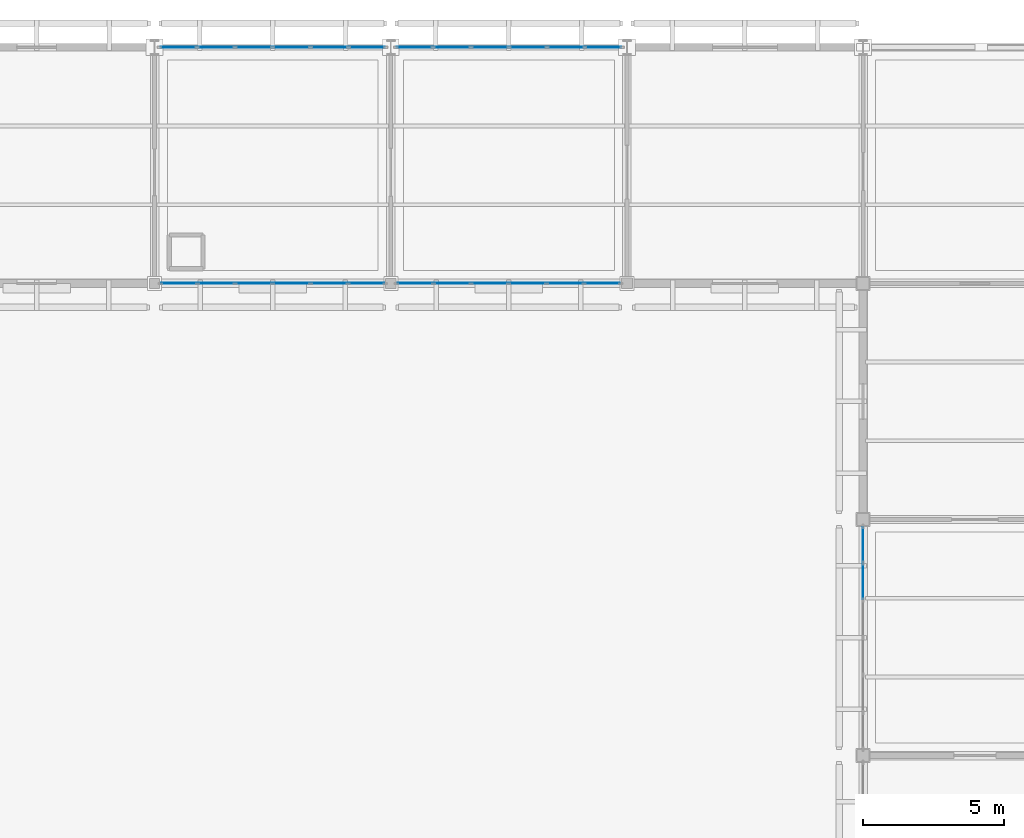
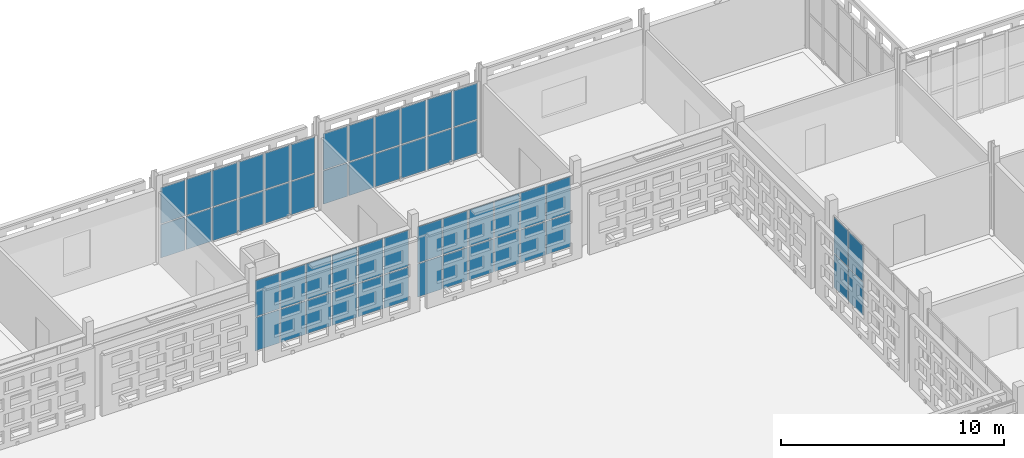
# One storey, part 101 of 203: 52 plates, 5 elements without a shape of their own.
"""IFC4 building model written with IfcOpenShell, lengths in metres."""

from ifc_helpers import new_model, si_unit, direction, frame, origin, origin_2d, place, context, subcontext, project, spatial, rectangle, extrude, material, layer, layer_set, type_object, element, aggregate, save


model = new_model("IFC4")

# Units and contexts
model_context = context("Model", 3, precision=1e-05, world=origin(), true_north=direction((0.0, 1.0)))
body_context = subcontext(model_context, "Body", "Model", "MODEL_VIEW")
ifc_project = project(units=[si_unit("LENGTHUNIT", "METRE"), si_unit("AREAUNIT", "SQUARE_METRE"), si_unit("VOLUMEUNIT", "CUBIC_METRE"), si_unit("PLANEANGLEUNIT", "RADIAN"), si_unit("MASSUNIT", "GRAM", prefix="KILO")], contexts=[model_context])

# Site, building, storey
site_placement = place(None, origin())
site = spatial("IfcSite", under=ifc_project, at=site_placement, CompositionType="ELEMENT")
building_placement = place(site_placement, origin())
building = spatial("IfcBuilding", under=site, at=building_placement, Name="Varnapada Polytechnic", CompositionType="ELEMENT")
storey_placement = place(building_placement, frame((0.0, 0.0, 4.800048828125)))
storey = spatial("IfcBuildingStorey", under=building, at=storey_placement, Name="L01", CompositionType="ELEMENT", Elevation=4.800048828125)

# Curtain wall, plates
ifc_material = material(Name="Double low-E laminated glass", Category="glass")
ifc_layer_1 = layer(ifc_material, 0.159912109375)
ifc_layer_set_1 = layer_set([ifc_layer_1], Name="Double low-E laminated glass")
curtain_wall_type = type_object("IfcCurtainWallType", Name="Curtain Wall CW-02", PredefinedType="NOTDEFINED", material=ifc_layer_set_1)
curtain_wall_1_placement = place(storey_placement, origin())
curtain_wall_1 = element("IfcCurtainWall", 1, at=curtain_wall_1_placement, inside=storey, type_object=curtain_wall_type, Name="L01 unitised curtain wall CW-02 (81)", PredefinedType="NOTDEFINED")
ifc_layer_2 = layer(ifc_material, 0.028076171875)
ifc_layer_set_2 = layer_set([ifc_layer_2], Name="Double low-E laminated glass")
plate_type = type_object("IfcPlateType", Name="Curtain Panel PNL-01", PredefinedType="CURTAIN_PANEL", material=ifc_layer_set_2)
plate_1_placement = place(storey_placement, frame((108.3349609375, 117.60009765625, 0.06005859375), z_axis=(0.0, 0.0, 1.0), x_axis=(-1.0, 0.0, 0.0)))
plate_1 = element("IfcPlate", 2, at=plate_1_placement, type_object=plate_type, Name="CW-02 panel 1.1", PredefinedType="CURTAIN_PANEL", context=body_context, shape_type="SweptSolid", body=[
    extrude(rectangle(XDim=1.25, YDim=0.028076171875, at=origin_2d()), origin(), (0.0, 0.0, 1.0), 1.810791015625),
])
plate_2_placement = place(storey_placement, frame((108.3349609375, 117.60009765625, 1.9306640625), z_axis=(0.0, 0.0, 1.0), x_axis=(-1.0, 0.0, 0.0)))
plate_2 = element("IfcPlate", 3, at=plate_2_placement, type_object=plate_type, Name="CW-02 panel 1.2", PredefinedType="CURTAIN_PANEL", context=body_context, shape_type="SweptSolid", body=[
    extrude(rectangle(XDim=1.25, YDim=0.028076171875, at=origin_2d()), origin(), (0.0, 0.0, 1.0), 1.96923828125),
])
plate_3_placement = place(storey_placement, frame((107.010009765625, 117.60009765625, 0.06005859375), z_axis=(0.0, 0.0, 1.0), x_axis=(-1.0, 0.0, 0.0)))
plate_3 = element("IfcPlate", 4, at=plate_3_placement, type_object=plate_type, Name="CW-02 panel 2.1", PredefinedType="CURTAIN_PANEL", context=body_context, shape_type="SweptSolid", body=[
    extrude(rectangle(XDim=1.280029296875, YDim=0.028076171875, at=origin_2d()), origin(), (0.0, 0.0, 1.0), 1.810791015625),
])
plate_4_placement = place(storey_placement, frame((107.010009765625, 117.60009765625, 1.9306640625), z_axis=(0.0, 0.0, 1.0), x_axis=(-1.0, 0.0, 0.0)))
plate_4 = element("IfcPlate", 5, at=plate_4_placement, type_object=plate_type, Name="CW-02 panel 2.2", PredefinedType="CURTAIN_PANEL", context=body_context, shape_type="SweptSolid", body=[
    extrude(rectangle(XDim=1.280029296875, YDim=0.028076171875, at=origin_2d()), origin(), (0.0, 0.0, 1.0), 1.96923828125),
])
plate_5_placement = place(storey_placement, frame((105.669921875, 117.60009765625, 0.06005859375), z_axis=(0.0, 0.0, 1.0), x_axis=(-1.0, 0.0, 0.0)))
plate_5 = element("IfcPlate", 6, at=plate_5_placement, type_object=plate_type, Name="CW-02 panel 3.1", PredefinedType="CURTAIN_PANEL", context=body_context, shape_type="SweptSolid", body=[
    extrude(rectangle(XDim=1.280029296875, YDim=0.028076171875, at=origin_2d()), origin(), (0.0, 0.0, 1.0), 1.810791015625),
])
plate_6_placement = place(storey_placement, frame((105.669921875, 117.60009765625, 1.9306640625), z_axis=(0.0, 0.0, 1.0), x_axis=(-1.0, 0.0, 0.0)))
plate_6 = element("IfcPlate", 7, at=plate_6_placement, type_object=plate_type, Name="CW-02 panel 3.2", PredefinedType="CURTAIN_PANEL", context=body_context, shape_type="SweptSolid", body=[
    extrude(rectangle(XDim=1.280029296875, YDim=0.028076171875, at=origin_2d()), origin(), (0.0, 0.0, 1.0), 1.96923828125),
])
plate_7_placement = place(storey_placement, frame((104.330078125, 117.60009765625, 0.06005859375), z_axis=(0.0, 0.0, 1.0), x_axis=(-1.0, 0.0, 0.0)))
plate_7 = element("IfcPlate", 8, at=plate_7_placement, type_object=plate_type, Name="CW-02 panel 4.1", PredefinedType="CURTAIN_PANEL", context=body_context, shape_type="SweptSolid", body=[
    extrude(rectangle(XDim=1.280029296875, YDim=0.028076171875, at=origin_2d()), origin(), (0.0, 0.0, 1.0), 1.810791015625),
])
plate_8_placement = place(storey_placement, frame((104.330078125, 117.60009765625, 1.9306640625), z_axis=(0.0, 0.0, 1.0), x_axis=(-1.0, 0.0, 0.0)))
plate_8 = element("IfcPlate", 9, at=plate_8_placement, type_object=plate_type, Name="CW-02 panel 4.2", PredefinedType="CURTAIN_PANEL", context=body_context, shape_type="SweptSolid", body=[
    extrude(rectangle(XDim=1.280029296875, YDim=0.028076171875, at=origin_2d()), origin(), (0.0, 0.0, 1.0), 1.96923828125),
])
plate_9_placement = place(storey_placement, frame((102.989990234375, 117.60009765625, 0.06005859375), z_axis=(0.0, 0.0, 1.0), x_axis=(-1.0, 0.0, 0.0)))
plate_9 = element("IfcPlate", 10, at=plate_9_placement, type_object=plate_type, Name="CW-02 panel 5.1", PredefinedType="CURTAIN_PANEL", context=body_context, shape_type="SweptSolid", body=[
    extrude(rectangle(XDim=1.280029296875, YDim=0.028076171875, at=origin_2d()), origin(), (0.0, 0.0, 1.0), 1.810791015625),
])
plate_10_placement = place(storey_placement, frame((102.989990234375, 117.60009765625, 1.9306640625), z_axis=(0.0, 0.0, 1.0), x_axis=(-1.0, 0.0, 0.0)))
plate_10 = element("IfcPlate", 11, at=plate_10_placement, type_object=plate_type, Name="CW-02 panel 5.2", PredefinedType="CURTAIN_PANEL", context=body_context, shape_type="SweptSolid", body=[
    extrude(rectangle(XDim=1.280029296875, YDim=0.028076171875, at=origin_2d()), origin(), (0.0, 0.0, 1.0), 1.96923828125),
])
plate_11_placement = place(storey_placement, frame((101.6650390625, 117.60009765625, 0.06005859375), z_axis=(0.0, 0.0, 1.0), x_axis=(-1.0, 0.0, 0.0)))
plate_11 = element("IfcPlate", 12, at=plate_11_placement, type_object=plate_type, Name="CW-02 panel 6.1", PredefinedType="CURTAIN_PANEL", context=body_context, shape_type="SweptSolid", body=[
    extrude(rectangle(XDim=1.25, YDim=0.028076171875, at=origin_2d()), origin(), (0.0, 0.0, 1.0), 1.810791015625),
])
plate_12_placement = place(storey_placement, frame((101.6650390625, 117.60009765625, 1.9306640625), z_axis=(0.0, 0.0, 1.0), x_axis=(-1.0, 0.0, 0.0)))
plate_12 = element("IfcPlate", 13, at=plate_12_placement, type_object=plate_type, Name="CW-02 panel 6.2", PredefinedType="CURTAIN_PANEL", context=body_context, shape_type="SweptSolid", body=[
    extrude(rectangle(XDim=1.25, YDim=0.028076171875, at=origin_2d()), origin(), (0.0, 0.0, 1.0), 1.96923828125),
])
aggregate(curtain_wall_1, [plate_1, plate_2, plate_3, plate_4, plate_5, plate_6, plate_7, plate_8, plate_9, plate_10, plate_11, plate_12])

curtain_wall_2_placement = place(storey_placement, origin())
curtain_wall_2 = element("IfcCurtainWall", 14, at=curtain_wall_2_placement, inside=storey, type_object=curtain_wall_type, Name="L01 unitised curtain wall CW-02 (82)", PredefinedType="NOTDEFINED")
plate_13_placement = place(storey_placement, frame((101.639892578125, 126.0, 0.06005859375), z_axis=(0.0, 0.0, 1.0), x_axis=(1.0, 0.0, 0.0)))
plate_13 = element("IfcPlate", 15, at=plate_13_placement, type_object=plate_type, Name="CW-02 panel 1.1", PredefinedType="CURTAIN_PANEL", context=body_context, shape_type="SweptSolid", body=[
    extrude(rectangle(XDim=1.260009765625, YDim=0.028076171875, at=origin_2d()), origin(), (0.0, 0.0, 1.0), 1.810791015625),
])
plate_14_placement = place(storey_placement, frame((101.639892578125, 126.0, 1.9306640625), z_axis=(0.0, 0.0, 1.0), x_axis=(1.0, 0.0, 0.0)))
plate_14 = element("IfcPlate", 16, at=plate_14_placement, type_object=plate_type, Name="CW-02 panel 1.2", PredefinedType="CURTAIN_PANEL", context=body_context, shape_type="SweptSolid", body=[
    extrude(rectangle(XDim=1.260009765625, YDim=0.028076171875, at=origin_2d()), origin(), (0.0, 0.0, 1.0), 1.96923828125),
])
plate_15_placement = place(storey_placement, frame((102.97509765625, 126.0, 0.06005859375), z_axis=(0.0, 0.0, 1.0), x_axis=(1.0, 0.0, 0.0)))
plate_15 = element("IfcPlate", 17, at=plate_15_placement, type_object=plate_type, Name="CW-02 panel 2.1", PredefinedType="CURTAIN_PANEL", context=body_context, shape_type="SweptSolid", body=[
    extrude(rectangle(XDim=1.2900390625, YDim=0.028076171875, at=origin_2d()), origin(), (0.0, 0.0, 1.0), 1.810791015625),
])
plate_16_placement = place(storey_placement, frame((102.97509765625, 126.0, 1.9306640625), z_axis=(0.0, 0.0, 1.0), x_axis=(1.0, 0.0, 0.0)))
plate_16 = element("IfcPlate", 18, at=plate_16_placement, type_object=plate_type, Name="CW-02 panel 2.2", PredefinedType="CURTAIN_PANEL", context=body_context, shape_type="SweptSolid", body=[
    extrude(rectangle(XDim=1.2900390625, YDim=0.028076171875, at=origin_2d()), origin(), (0.0, 0.0, 1.0), 1.96923828125),
])
plate_17_placement = place(storey_placement, frame((104.324951171875, 126.0, 0.06005859375), z_axis=(0.0, 0.0, 1.0), x_axis=(1.0, 0.0, 0.0)))
plate_17 = element("IfcPlate", 19, at=plate_17_placement, type_object=plate_type, Name="CW-02 panel 3.1", PredefinedType="CURTAIN_PANEL", context=body_context, shape_type="SweptSolid", body=[
    extrude(rectangle(XDim=1.2900390625, YDim=0.028076171875, at=origin_2d()), origin(), (0.0, 0.0, 1.0), 1.810791015625),
])
plate_18_placement = place(storey_placement, frame((104.324951171875, 126.0, 1.9306640625), z_axis=(0.0, 0.0, 1.0), x_axis=(1.0, 0.0, 0.0)))
plate_18 = element("IfcPlate", 20, at=plate_18_placement, type_object=plate_type, Name="CW-02 panel 3.2", PredefinedType="CURTAIN_PANEL", context=body_context, shape_type="SweptSolid", body=[
    extrude(rectangle(XDim=1.2900390625, YDim=0.028076171875, at=origin_2d()), origin(), (0.0, 0.0, 1.0), 1.96923828125),
])
plate_19_placement = place(storey_placement, frame((105.675048828125, 126.0, 0.06005859375), z_axis=(0.0, 0.0, 1.0), x_axis=(1.0, 0.0, 0.0)))
plate_19 = element("IfcPlate", 21, at=plate_19_placement, type_object=plate_type, Name="CW-02 panel 4.1", PredefinedType="CURTAIN_PANEL", context=body_context, shape_type="SweptSolid", body=[
    extrude(rectangle(XDim=1.2900390625, YDim=0.028076171875, at=origin_2d()), origin(), (0.0, 0.0, 1.0), 1.810791015625),
])
plate_20_placement = place(storey_placement, frame((105.675048828125, 126.0, 1.9306640625), z_axis=(0.0, 0.0, 1.0), x_axis=(1.0, 0.0, 0.0)))
plate_20 = element("IfcPlate", 22, at=plate_20_placement, type_object=plate_type, Name="CW-02 panel 4.2", PredefinedType="CURTAIN_PANEL", context=body_context, shape_type="SweptSolid", body=[
    extrude(rectangle(XDim=1.2900390625, YDim=0.028076171875, at=origin_2d()), origin(), (0.0, 0.0, 1.0), 1.96923828125),
])
plate_21_placement = place(storey_placement, frame((107.02490234375, 126.0, 0.06005859375), z_axis=(0.0, 0.0, 1.0), x_axis=(1.0, 0.0, 0.0)))
plate_21 = element("IfcPlate", 23, at=plate_21_placement, type_object=plate_type, Name="CW-02 panel 5.1", PredefinedType="CURTAIN_PANEL", context=body_context, shape_type="SweptSolid", body=[
    extrude(rectangle(XDim=1.2900390625, YDim=0.028076171875, at=origin_2d()), origin(), (0.0, 0.0, 1.0), 1.810791015625),
])
plate_22_placement = place(storey_placement, frame((107.02490234375, 126.0, 1.9306640625), z_axis=(0.0, 0.0, 1.0), x_axis=(1.0, 0.0, 0.0)))
plate_22 = element("IfcPlate", 24, at=plate_22_placement, type_object=plate_type, Name="CW-02 panel 5.2", PredefinedType="CURTAIN_PANEL", context=body_context, shape_type="SweptSolid", body=[
    extrude(rectangle(XDim=1.2900390625, YDim=0.028076171875, at=origin_2d()), origin(), (0.0, 0.0, 1.0), 1.96923828125),
])
plate_23_placement = place(storey_placement, frame((108.360107421875, 126.0, 0.06005859375), z_axis=(0.0, 0.0, 1.0), x_axis=(1.0, 0.0, 0.0)))
plate_23 = element("IfcPlate", 25, at=plate_23_placement, type_object=plate_type, Name="CW-02 panel 6.1", PredefinedType="CURTAIN_PANEL", context=body_context, shape_type="SweptSolid", body=[
    extrude(rectangle(XDim=1.260009765625, YDim=0.028076171875, at=origin_2d()), origin(), (0.0, 0.0, 1.0), 1.810791015625),
])
plate_24_placement = place(storey_placement, frame((108.360107421875, 126.0, 1.9306640625), z_axis=(0.0, 0.0, 1.0), x_axis=(1.0, 0.0, 0.0)))
plate_24 = element("IfcPlate", 26, at=plate_24_placement, type_object=plate_type, Name="CW-02 panel 6.2", PredefinedType="CURTAIN_PANEL", context=body_context, shape_type="SweptSolid", body=[
    extrude(rectangle(XDim=1.260009765625, YDim=0.028076171875, at=origin_2d()), origin(), (0.0, 0.0, 1.0), 1.96923828125),
])
aggregate(curtain_wall_2, [plate_13, plate_14, plate_15, plate_16, plate_17, plate_18, plate_19, plate_20, plate_21, plate_22, plate_23, plate_24])

curtain_wall_3_placement = place(storey_placement, origin())
curtain_wall_3 = element("IfcCurtainWall", 27, at=curtain_wall_3_placement, inside=storey, type_object=curtain_wall_type, Name="L01 unitised curtain wall CW-02 (87)", PredefinedType="NOTDEFINED")
plate_25_placement = place(storey_placement, frame((116.725830078125, 117.60009765625, 0.06005859375), z_axis=(0.0, 0.0, 1.0), x_axis=(-1.0, 0.0, 0.0)))
plate_25 = element("IfcPlate", 28, at=plate_25_placement, type_object=plate_type, Name="CW-02 panel 1.1", PredefinedType="CURTAIN_PANEL", context=body_context, shape_type="SweptSolid", body=[
    extrude(rectangle(XDim=1.248291015625, YDim=0.028076171875, at=origin_2d()), origin(), (0.0, 0.0, 1.0), 1.810791015625),
])
plate_26_placement = place(storey_placement, frame((116.725830078125, 117.60009765625, 1.9306640625), z_axis=(0.0, 0.0, 1.0), x_axis=(-1.0, 0.0, 0.0)))
plate_26 = element("IfcPlate", 29, at=plate_26_placement, type_object=plate_type, Name="CW-02 panel 1.2", PredefinedType="CURTAIN_PANEL", context=body_context, shape_type="SweptSolid", body=[
    extrude(rectangle(XDim=1.248291015625, YDim=0.028076171875, at=origin_2d()), origin(), (0.0, 0.0, 1.0), 1.96923828125),
])
plate_27_placement = place(storey_placement, frame((115.402587890625, 117.60009765625, 0.06005859375), z_axis=(0.0, 0.0, 1.0), x_axis=(-1.0, 0.0, 0.0)))
plate_27 = element("IfcPlate", 30, at=plate_27_placement, type_object=plate_type, Name="CW-02 panel 2.1", PredefinedType="CURTAIN_PANEL", context=body_context, shape_type="SweptSolid", body=[
    extrude(rectangle(XDim=1.2783203125, YDim=0.028076171875, at=origin_2d()), origin(), (0.0, 0.0, 1.0), 1.810791015625),
])
plate_28_placement = place(storey_placement, frame((115.402587890625, 117.60009765625, 1.9306640625), z_axis=(0.0, 0.0, 1.0), x_axis=(-1.0, 0.0, 0.0)))
plate_28 = element("IfcPlate", 31, at=plate_28_placement, type_object=plate_type, Name="CW-02 panel 2.2", PredefinedType="CURTAIN_PANEL", context=body_context, shape_type="SweptSolid", body=[
    extrude(rectangle(XDim=1.2783203125, YDim=0.028076171875, at=origin_2d()), origin(), (0.0, 0.0, 1.0), 1.96923828125),
])
plate_29_placement = place(storey_placement, frame((114.064208984375, 117.60009765625, 0.06005859375), z_axis=(0.0, 0.0, 1.0), x_axis=(-1.0, 0.0, 0.0)))
plate_29 = element("IfcPlate", 32, at=plate_29_placement, type_object=plate_type, Name="CW-02 panel 3.1", PredefinedType="CURTAIN_PANEL", context=body_context, shape_type="SweptSolid", body=[
    extrude(rectangle(XDim=1.2783203125, YDim=0.028076171875, at=origin_2d()), origin(), (0.0, 0.0, 1.0), 1.810791015625),
])
plate_30_placement = place(storey_placement, frame((114.064208984375, 117.60009765625, 1.9306640625), z_axis=(0.0, 0.0, 1.0), x_axis=(-1.0, 0.0, 0.0)))
plate_30 = element("IfcPlate", 33, at=plate_30_placement, type_object=plate_type, Name="CW-02 panel 3.2", PredefinedType="CURTAIN_PANEL", context=body_context, shape_type="SweptSolid", body=[
    extrude(rectangle(XDim=1.2783203125, YDim=0.028076171875, at=origin_2d()), origin(), (0.0, 0.0, 1.0), 1.96923828125),
])
plate_31_placement = place(storey_placement, frame((112.725830078125, 117.60009765625, 0.06005859375), z_axis=(0.0, 0.0, 1.0), x_axis=(-1.0, 0.0, 0.0)))
plate_31 = element("IfcPlate", 34, at=plate_31_placement, type_object=plate_type, Name="CW-02 panel 4.1", PredefinedType="CURTAIN_PANEL", context=body_context, shape_type="SweptSolid", body=[
    extrude(rectangle(XDim=1.2783203125, YDim=0.028076171875, at=origin_2d()), origin(), (0.0, 0.0, 1.0), 1.810791015625),
])
plate_32_placement = place(storey_placement, frame((112.725830078125, 117.60009765625, 1.9306640625), z_axis=(0.0, 0.0, 1.0), x_axis=(-1.0, 0.0, 0.0)))
plate_32 = element("IfcPlate", 35, at=plate_32_placement, type_object=plate_type, Name="CW-02 panel 4.2", PredefinedType="CURTAIN_PANEL", context=body_context, shape_type="SweptSolid", body=[
    extrude(rectangle(XDim=1.2783203125, YDim=0.028076171875, at=origin_2d()), origin(), (0.0, 0.0, 1.0), 1.96923828125),
])
plate_33_placement = place(storey_placement, frame((111.387451171875, 117.60009765625, 0.06005859375), z_axis=(0.0, 0.0, 1.0), x_axis=(-1.0, 0.0, 0.0)))
plate_33 = element("IfcPlate", 36, at=plate_33_placement, type_object=plate_type, Name="CW-02 panel 5.1", PredefinedType="CURTAIN_PANEL", context=body_context, shape_type="SweptSolid", body=[
    extrude(rectangle(XDim=1.2783203125, YDim=0.028076171875, at=origin_2d()), origin(), (0.0, 0.0, 1.0), 1.810791015625),
])
plate_34_placement = place(storey_placement, frame((111.387451171875, 117.60009765625, 1.9306640625), z_axis=(0.0, 0.0, 1.0), x_axis=(-1.0, 0.0, 0.0)))
plate_34 = element("IfcPlate", 37, at=plate_34_placement, type_object=plate_type, Name="CW-02 panel 5.2", PredefinedType="CURTAIN_PANEL", context=body_context, shape_type="SweptSolid", body=[
    extrude(rectangle(XDim=1.2783203125, YDim=0.028076171875, at=origin_2d()), origin(), (0.0, 0.0, 1.0), 1.96923828125),
])
plate_35_placement = place(storey_placement, frame((110.064208984375, 117.60009765625, 0.06005859375), z_axis=(0.0, 0.0, 1.0), x_axis=(-1.0, 0.0, 0.0)))
plate_35 = element("IfcPlate", 38, at=plate_35_placement, type_object=plate_type, Name="CW-02 panel 6.1", PredefinedType="CURTAIN_PANEL", context=body_context, shape_type="SweptSolid", body=[
    extrude(rectangle(XDim=1.248291015625, YDim=0.028076171875, at=origin_2d()), origin(), (0.0, 0.0, 1.0), 1.810791015625),
])
plate_36_placement = place(storey_placement, frame((110.064208984375, 117.60009765625, 1.9306640625), z_axis=(0.0, 0.0, 1.0), x_axis=(-1.0, 0.0, 0.0)))
plate_36 = element("IfcPlate", 39, at=plate_36_placement, type_object=plate_type, Name="CW-02 panel 6.2", PredefinedType="CURTAIN_PANEL", context=body_context, shape_type="SweptSolid", body=[
    extrude(rectangle(XDim=1.248291015625, YDim=0.028076171875, at=origin_2d()), origin(), (0.0, 0.0, 1.0), 1.96923828125),
])
aggregate(curtain_wall_3, [plate_25, plate_26, plate_27, plate_28, plate_29, plate_30, plate_31, plate_32, plate_33, plate_34, plate_35, plate_36])

curtain_wall_4_placement = place(storey_placement, origin())
curtain_wall_4 = element("IfcCurtainWall", 40, at=curtain_wall_4_placement, inside=storey, type_object=curtain_wall_type, Name="L01 unitised curtain wall CW-02 (88)", PredefinedType="NOTDEFINED")
plate_37_placement = place(storey_placement, frame((110.0400390625, 126.0, 0.06005859375), z_axis=(0.0, 0.0, 1.0), x_axis=(1.0, 0.0, 0.0)))
plate_37 = element("IfcPlate", 41, at=plate_37_placement, type_object=plate_type, Name="CW-02 panel 1.1", PredefinedType="CURTAIN_PANEL", context=body_context, shape_type="SweptSolid", body=[
    extrude(rectangle(XDim=1.260009765625, YDim=0.028076171875, at=origin_2d()), origin(), (0.0, 0.0, 1.0), 1.810791015625),
])
plate_38_placement = place(storey_placement, frame((110.0400390625, 126.0, 1.9306640625), z_axis=(0.0, 0.0, 1.0), x_axis=(1.0, 0.0, 0.0)))
plate_38 = element("IfcPlate", 42, at=plate_38_placement, type_object=plate_type, Name="CW-02 panel 1.2", PredefinedType="CURTAIN_PANEL", context=body_context, shape_type="SweptSolid", body=[
    extrude(rectangle(XDim=1.260009765625, YDim=0.028076171875, at=origin_2d()), origin(), (0.0, 0.0, 1.0), 1.96923828125),
])
plate_39_placement = place(storey_placement, frame((111.375, 126.0, 0.06005859375), z_axis=(0.0, 0.0, 1.0), x_axis=(1.0, 0.0, 0.0)))
plate_39 = element("IfcPlate", 43, at=plate_39_placement, type_object=plate_type, Name="CW-02 panel 2.1", PredefinedType="CURTAIN_PANEL", context=body_context, shape_type="SweptSolid", body=[
    extrude(rectangle(XDim=1.2900390625, YDim=0.028076171875, at=origin_2d()), origin(), (0.0, 0.0, 1.0), 1.810791015625),
])
plate_40_placement = place(storey_placement, frame((111.375, 126.0, 1.9306640625), z_axis=(0.0, 0.0, 1.0), x_axis=(1.0, 0.0, 0.0)))
plate_40 = element("IfcPlate", 44, at=plate_40_placement, type_object=plate_type, Name="CW-02 panel 2.2", PredefinedType="CURTAIN_PANEL", context=body_context, shape_type="SweptSolid", body=[
    extrude(rectangle(XDim=1.2900390625, YDim=0.028076171875, at=origin_2d()), origin(), (0.0, 0.0, 1.0), 1.96923828125),
])
plate_41_placement = place(storey_placement, frame((112.72509765625, 126.0, 0.06005859375), z_axis=(0.0, 0.0, 1.0), x_axis=(1.0, 0.0, 0.0)))
plate_41 = element("IfcPlate", 45, at=plate_41_placement, type_object=plate_type, Name="CW-02 panel 3.1", PredefinedType="CURTAIN_PANEL", context=body_context, shape_type="SweptSolid", body=[
    extrude(rectangle(XDim=1.2900390625, YDim=0.028076171875, at=origin_2d()), origin(), (0.0, 0.0, 1.0), 1.810791015625),
])
plate_42_placement = place(storey_placement, frame((112.72509765625, 126.0, 1.9306640625), z_axis=(0.0, 0.0, 1.0), x_axis=(1.0, 0.0, 0.0)))
plate_42 = element("IfcPlate", 46, at=plate_42_placement, type_object=plate_type, Name="CW-02 panel 3.2", PredefinedType="CURTAIN_PANEL", context=body_context, shape_type="SweptSolid", body=[
    extrude(rectangle(XDim=1.2900390625, YDim=0.028076171875, at=origin_2d()), origin(), (0.0, 0.0, 1.0), 1.96923828125),
])
plate_43_placement = place(storey_placement, frame((114.074951171875, 126.0, 0.06005859375), z_axis=(0.0, 0.0, 1.0), x_axis=(1.0, 0.0, 0.0)))
plate_43 = element("IfcPlate", 47, at=plate_43_placement, type_object=plate_type, Name="CW-02 panel 4.1", PredefinedType="CURTAIN_PANEL", context=body_context, shape_type="SweptSolid", body=[
    extrude(rectangle(XDim=1.2900390625, YDim=0.028076171875, at=origin_2d()), origin(), (0.0, 0.0, 1.0), 1.810791015625),
])
plate_44_placement = place(storey_placement, frame((114.074951171875, 126.0, 1.9306640625), z_axis=(0.0, 0.0, 1.0), x_axis=(1.0, 0.0, 0.0)))
plate_44 = element("IfcPlate", 48, at=plate_44_placement, type_object=plate_type, Name="CW-02 panel 4.2", PredefinedType="CURTAIN_PANEL", context=body_context, shape_type="SweptSolid", body=[
    extrude(rectangle(XDim=1.2900390625, YDim=0.028076171875, at=origin_2d()), origin(), (0.0, 0.0, 1.0), 1.96923828125),
])
plate_45_placement = place(storey_placement, frame((115.425048828125, 126.0, 0.06005859375), z_axis=(0.0, 0.0, 1.0), x_axis=(1.0, 0.0, 0.0)))
plate_45 = element("IfcPlate", 49, at=plate_45_placement, type_object=plate_type, Name="CW-02 panel 5.1", PredefinedType="CURTAIN_PANEL", context=body_context, shape_type="SweptSolid", body=[
    extrude(rectangle(XDim=1.2900390625, YDim=0.028076171875, at=origin_2d()), origin(), (0.0, 0.0, 1.0), 1.810791015625),
])
plate_46_placement = place(storey_placement, frame((115.425048828125, 126.0, 1.9306640625), z_axis=(0.0, 0.0, 1.0), x_axis=(1.0, 0.0, 0.0)))
plate_46 = element("IfcPlate", 50, at=plate_46_placement, type_object=plate_type, Name="CW-02 panel 5.2", PredefinedType="CURTAIN_PANEL", context=body_context, shape_type="SweptSolid", body=[
    extrude(rectangle(XDim=1.2900390625, YDim=0.028076171875, at=origin_2d()), origin(), (0.0, 0.0, 1.0), 1.96923828125),
])
plate_47_placement = place(storey_placement, frame((116.760009765625, 126.0, 0.06005859375), z_axis=(0.0, 0.0, 1.0), x_axis=(1.0, 0.0, 0.0)))
plate_47 = element("IfcPlate", 51, at=plate_47_placement, type_object=plate_type, Name="CW-02 panel 6.1", PredefinedType="CURTAIN_PANEL", context=body_context, shape_type="SweptSolid", body=[
    extrude(rectangle(XDim=1.260009765625, YDim=0.028076171875, at=origin_2d()), origin(), (0.0, 0.0, 1.0), 1.810791015625),
])
plate_48_placement = place(storey_placement, frame((116.760009765625, 126.0, 1.9306640625), z_axis=(0.0, 0.0, 1.0), x_axis=(1.0, 0.0, 0.0)))
plate_48 = element("IfcPlate", 52, at=plate_48_placement, type_object=plate_type, Name="CW-02 panel 6.2", PredefinedType="CURTAIN_PANEL", context=body_context, shape_type="SweptSolid", body=[
    extrude(rectangle(XDim=1.260009765625, YDim=0.028076171875, at=origin_2d()), origin(), (0.0, 0.0, 1.0), 1.96923828125),
])
aggregate(curtain_wall_4, [plate_37, plate_38, plate_39, plate_40, plate_41, plate_42, plate_43, plate_44, plate_45, plate_46, plate_47, plate_48])

curtain_wall_5_placement = place(storey_placement, origin())
curtain_wall_5 = element("IfcCurtainWall", 53, at=curtain_wall_5_placement, inside=storey, type_object=curtain_wall_type, Name="L01 unitised curtain wall CW-02 (98)", PredefinedType="NOTDEFINED")
plate_49_placement = place(storey_placement, frame((126.0, 106.9951171875, 0.06005859375), z_axis=(0.0, 0.0, 1.0), x_axis=(0.0, 1.0, 0.0)))
plate_49 = element("IfcPlate", 54, at=plate_49_placement, type_object=plate_type, Name="CW-02 panel 5.1", PredefinedType="CURTAIN_PANEL", context=body_context, shape_type="SweptSolid", body=[
    extrude(rectangle(XDim=1.27001953125, YDim=0.028076171875, at=origin_2d()), origin(), (0.0, 0.0, 1.0), 1.810791015625),
])
plate_50_placement = place(storey_placement, frame((126.0, 106.9951171875, 1.9306640625), z_axis=(0.0, 0.0, 1.0), x_axis=(0.0, 1.0, 0.0)))
plate_50 = element("IfcPlate", 55, at=plate_50_placement, type_object=plate_type, Name="CW-02 panel 5.2", PredefinedType="CURTAIN_PANEL", context=body_context, shape_type="SweptSolid", body=[
    extrude(rectangle(XDim=1.27001953125, YDim=0.028076171875, at=origin_2d()), origin(), (0.0, 0.0, 1.0), 1.96923828125),
])
plate_51_placement = place(storey_placement, frame((126.0, 108.31005859375, 0.06005859375), z_axis=(0.0, 0.0, 1.0), x_axis=(0.0, 1.0, 0.0)))
plate_51 = element("IfcPlate", 56, at=plate_51_placement, type_object=plate_type, Name="CW-02 panel 6.1", PredefinedType="CURTAIN_PANEL", context=body_context, shape_type="SweptSolid", body=[
    extrude(rectangle(XDim=1.239990234375, YDim=0.028076171875, at=origin_2d()), origin(), (0.0, 0.0, 1.0), 1.810791015625),
])
plate_52_placement = place(storey_placement, frame((126.0, 108.31005859375, 1.9306640625), z_axis=(0.0, 0.0, 1.0), x_axis=(0.0, 1.0, 0.0)))
plate_52 = element("IfcPlate", 57, at=plate_52_placement, type_object=plate_type, Name="CW-02 panel 6.2", PredefinedType="CURTAIN_PANEL", context=body_context, shape_type="SweptSolid", body=[
    extrude(rectangle(XDim=1.239990234375, YDim=0.028076171875, at=origin_2d()), origin(), (0.0, 0.0, 1.0), 1.96923828125),
])
aggregate(curtain_wall_5, [plate_49, plate_50, plate_51, plate_52])

save(model, "model.ifc")
